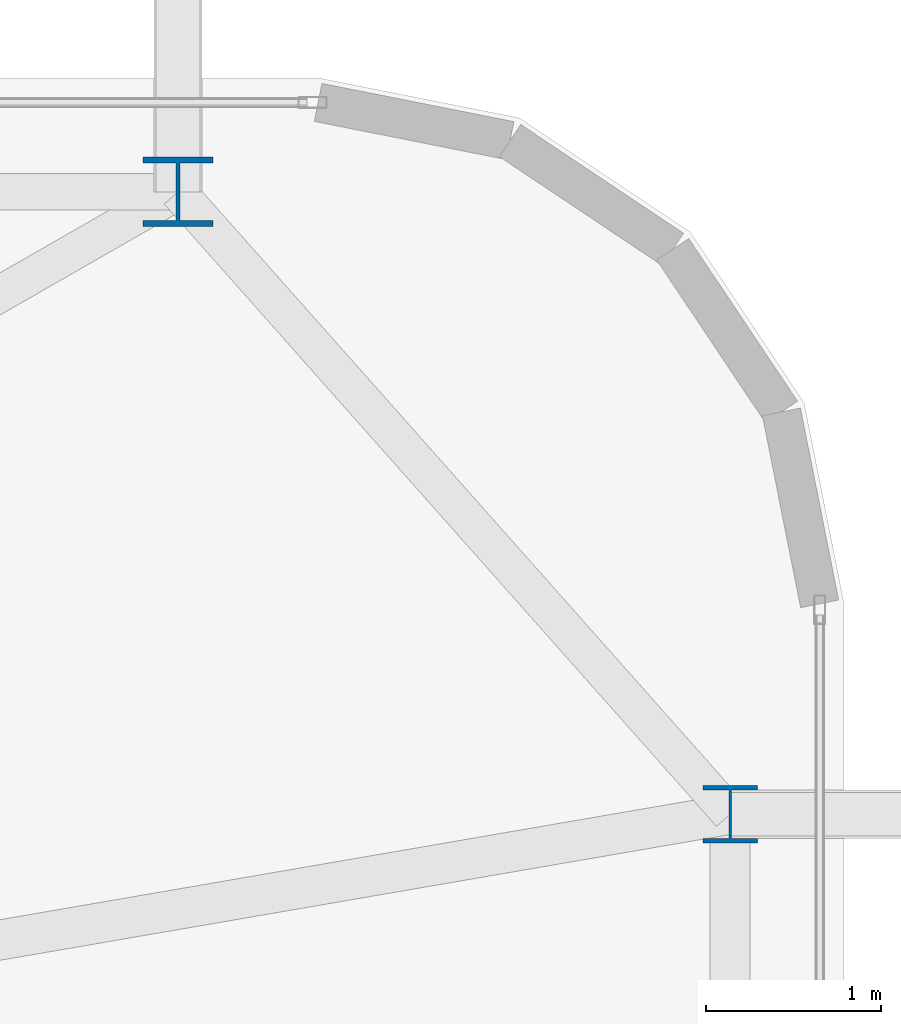
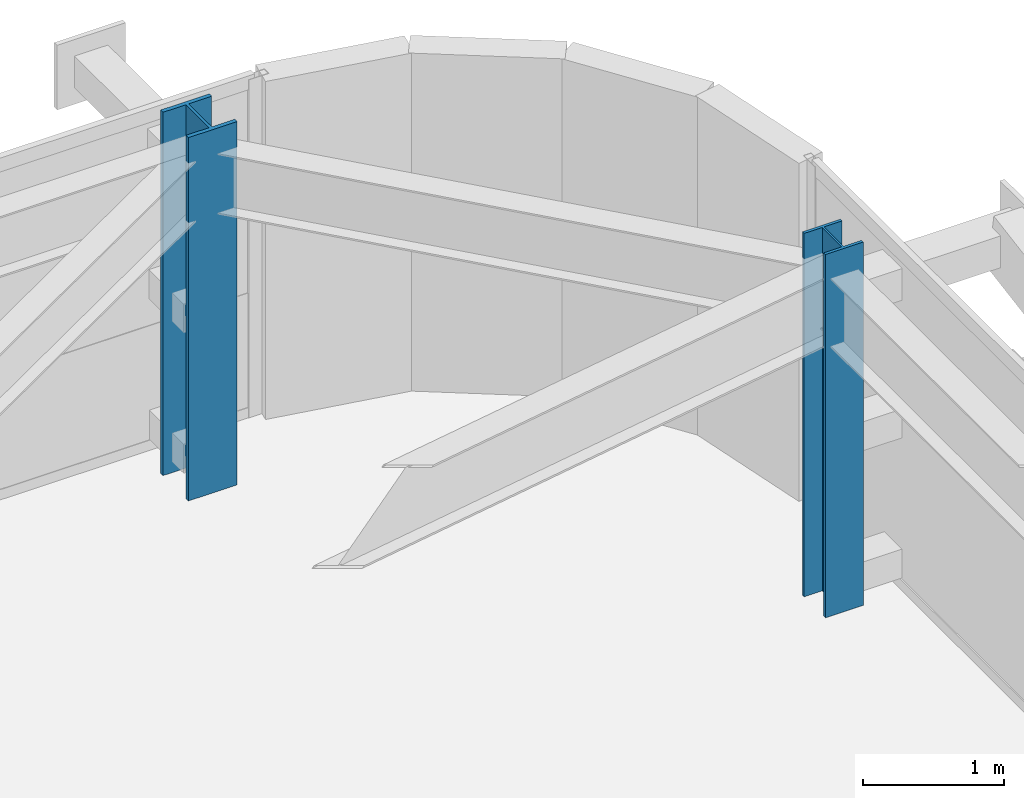
# One storey, part 4 of 59: 2 columns.
"""IFC4 building model written with IfcOpenShell, lengths in metres."""

from ifc_helpers import new_model, si_unit, direction, frame, origin, origin_2d, place, context, subcontext, project, spatial, i_section, extrude, source, transform, mapped, material, material_profile, profile_set, type_object, element, save


model = new_model("IFC4")

# Units and contexts
model_context = context("Model", 3, precision=1e-05, world=origin(), true_north=direction((0.0, 1.0)))
body_context = subcontext(model_context, "Body", "Model", "MODEL_VIEW")
ifc_project = project(units=[si_unit("LENGTHUNIT", "METRE"), si_unit("AREAUNIT", "SQUARE_METRE"), si_unit("VOLUMEUNIT", "CUBIC_METRE"), si_unit("PLANEANGLEUNIT", "RADIAN"), si_unit("MASSUNIT", "GRAM", prefix="KILO")], contexts=[model_context])

# Site, building, storey
site_placement = place(None, origin())
site = spatial("IfcSite", under=ifc_project, at=site_placement, CompositionType="ELEMENT")
building_placement = place(site_placement, origin())
building = spatial("IfcBuilding", under=site, at=building_placement, Name="Taldren Reach Tower", CompositionType="ELEMENT")
storey_placement = place(building_placement, frame((0.0, 0.0, 45.14990234375)))
storey = spatial("IfcBuildingStorey", under=building, at=storey_placement, Name="L13", CompositionType="ELEMENT", Elevation=45.14990234375)

# Columns
ifc_material = material(Name="Steel Gr 350 (350PLUS)", Category="steel")
ifc_material_profile_1 = material_profile(ifc_material, i_section(OverallWidth=0.39990234375, OverallDepth=0.39599609375, WebThickness=0.02197265625, FlangeThickness=0.033935546875, at=origin_2d()), Name="400WC270")
ifc_profile_set_1 = profile_set([ifc_material_profile_1], Name="Steel Gr 350 (350PLUS)")
column_type_1 = type_object("IfcColumnType", Name="COL-WC400", PredefinedType="COLUMN", material=ifc_profile_set_1)
shared_shape_1 = source(origin(), body_context, "Body", "SweptSolid", [
    extrude(i_section(OverallWidth=0.39990234375, OverallDepth=0.39599609375, WebThickness=0.02197265625, FlangeThickness=0.033935546875, at=origin_2d()), origin(), (0.0, 0.0, 1.0), 3.150146484375),
])
column_1_placement = place(storey_placement, frame((61.199951171875, 37.85009765625, 0.0), z_axis=(0.0, 0.0, 1.0), x_axis=(1.0, 0.0, 0.0)))
element("IfcColumn", 1, at=column_1_placement, inside=storey, type_object=column_type_1, Name="Block B1 perimeter column N6 L13", PredefinedType="COLUMN", context=body_context, shape_type="MappedRepresentation", body=[
    mapped(shared_shape_1, transform((0.0, 0.0, 0.0), scale=1.0)),
])
ifc_material_profile_2 = material_profile(ifc_material, i_section(OverallWidth=0.31103515625, OverallDepth=0.326904296875, WebThickness=0.015625, FlangeThickness=0.02490234375, at=origin_2d()), Name="310UC158")
ifc_profile_set_2 = profile_set([ifc_material_profile_2], Name="Steel Gr 350 (350PLUS)")
column_type_2 = type_object("IfcColumnType", Name="COL-UC310A", PredefinedType="COLUMN", material=ifc_profile_set_2)
shared_shape_2 = source(origin(), body_context, "Body", "SweptSolid", [
    extrude(i_section(OverallWidth=0.31103515625, OverallDepth=0.326904296875, WebThickness=0.015625, FlangeThickness=0.02490234375, at=origin_2d()), origin(), (0.0, 0.0, 1.0), 3.150146484375),
])
column_2_placement = place(storey_placement, frame((64.35009765625, 34.300048828125, 0.0), z_axis=(0.0, 0.0, 1.0), x_axis=(1.0, 0.0, 0.0)))
element("IfcColumn", 2, at=column_2_placement, inside=storey, type_object=column_type_2, Name="Block B1 perimeter column E3 L13", PredefinedType="COLUMN", context=body_context, shape_type="MappedRepresentation", body=[
    mapped(shared_shape_2, transform((0.0, 0.0, 0.0), scale=1.0)),
])

save(model, "model.ifc")
